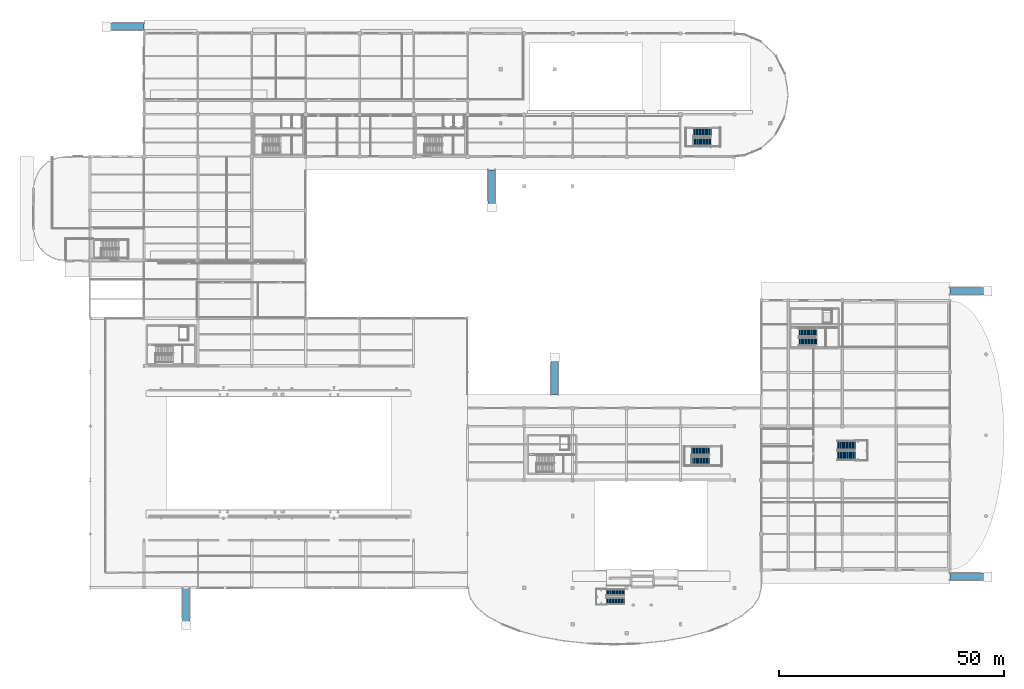
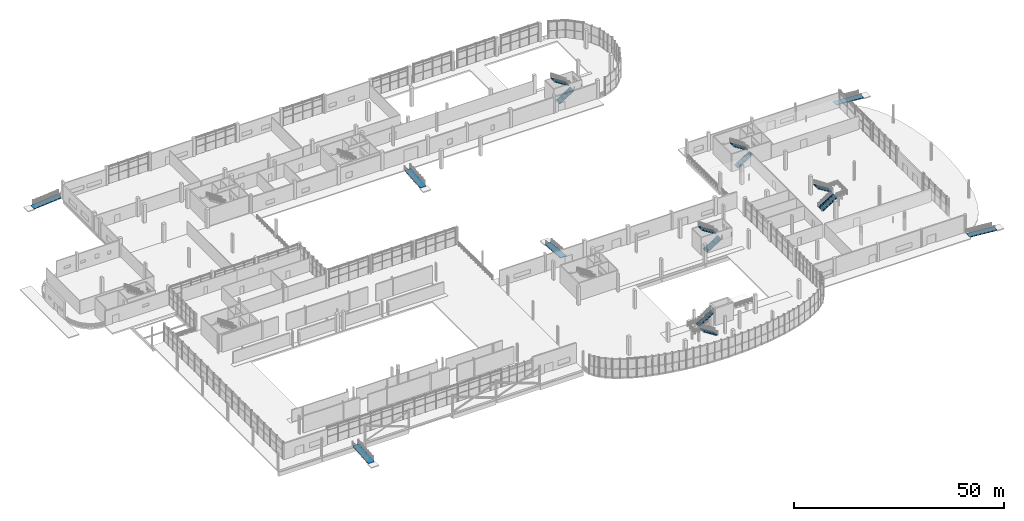
# One storey, part 68 of 85: 10 stair flights, 6 ramp flights, 11 elements without a shape of their own.
"""IFC4 building model written with IfcOpenShell, lengths in metres."""

import ifcopenshell
import ifcopenshell.guid

model = None  # the IFC model being written
_history = None  # IfcOwnerHistory: only IFC2X3 demands one
_inside = {}  # id of a spatial element -> (the spatial element, [elements in it])
_under = {}  # id of a project, library or spatial element -> (it, [spatial elements below it])
_declared = {}  # id of a project -> (the project, [libraries it declares])
_typed = {}  # id of a type object -> (the type object, [elements of that type])
_made_of = {}  # id of a material, layer set ... -> (it, [elements and type objects made of it])


def new_model(schema):
    """Start an empty IFC model of exactly this schema.

    Asked for "IFC4X3", IfcOpenShell would pick the latest addendum, in which some entities
    have other attributes; the version numbers below select the first issue.
    IFC2X3 requires an IfcOwnerHistory on every rooted entity: one is made here for all.
    """
    global model, _history
    if schema == "IFC4X3":
        model = ifcopenshell.file(schema_version=(4, 3, 0, 0))
    else:
        model = ifcopenshell.file(schema=schema)
    _inside.clear()
    _under.clear()
    _declared.clear()
    _typed.clear()
    _made_of.clear()
    _history = None
    if model.schema == "IFC2X3":
        org = make("IfcOrganization", Name="unknown")
        user = make(
            "IfcPersonAndOrganization",
            ThePerson=make("IfcPerson", FamilyName="unknown"),
            TheOrganization=org,
        )
        app = make(
            "IfcApplication",
            ApplicationDeveloper=org,
            Version="unknown",
            ApplicationFullName="unknown",
            ApplicationIdentifier="unknown",
        )
        _history = make(
            "IfcOwnerHistory",
            OwningUser=user,
            OwningApplication=app,
            ChangeAction="ADDED",
            CreationDate=0,
        )
    return model


def make(cls, **values):
    """One entity of the class cls with the attributes given. An attribute that is None is left unset."""
    return model.create_entity(
        cls, **{name: value for name, value in values.items() if value is not None}
    )


def rooted(cls, **values):
    """An entity with a GlobalId (a new one), such as an element, a storey or a relation."""
    return make(cls, GlobalId=ifcopenshell.guid.new(), OwnerHistory=_history, **values)


def si_unit(unit_type, name, prefix=None):
    """IfcSIUnit, for example si_unit("LENGTHUNIT", "METRE", prefix="MILLI")."""
    return make("IfcSIUnit", UnitType=unit_type, Prefix=prefix, Name=name)


def assignment(units):
    """IfcUnitAssignment: the units of a project."""
    return None if units is None else make("IfcUnitAssignment", Units=units)


def point(xyz):
    """IfcCartesianPoint."""
    return None if xyz is None else make("IfcCartesianPoint", Coordinates=xyz)


def direction(xyz):
    """IfcDirection."""
    return None if xyz is None else make("IfcDirection", DirectionRatios=xyz)


def frame(location, z_axis=None, x_axis=None):
    """IfcAxis2Placement3D, a coordinate frame: its origin and axes. An axis left out is left unset."""
    return make(
        "IfcAxis2Placement3D",
        Location=point(location),
        Axis=direction(z_axis),
        RefDirection=direction(x_axis),
    )


def origin():
    """The frame at (0, 0, 0) with its axes left unset."""
    return frame((0.0, 0.0, 0.0))


def place(relative_to, where):
    """IfcLocalPlacement: puts the frame where relative to a parent placement (None: the world)."""
    return make(
        "IfcLocalPlacement", PlacementRelTo=relative_to, RelativePlacement=where
    )


def context(
    kind, dimensions, precision=None, world=None, true_north=None, identifier=None
):
    """IfcGeometricRepresentationContext, for example the 3D "Model" context."""
    return make(
        "IfcGeometricRepresentationContext",
        ContextIdentifier=identifier,
        ContextType=kind,
        CoordinateSpaceDimension=dimensions,
        Precision=precision,
        WorldCoordinateSystem=world,
        TrueNorth=true_north,
    )


def subcontext(parent, identifier, kind, view, scale=None):
    """IfcGeometricRepresentationSubContext, for example "Body" below "Model"."""
    return make(
        "IfcGeometricRepresentationSubContext",
        ContextIdentifier=identifier,
        ContextType=kind,
        ParentContext=parent,
        TargetScale=scale,
        TargetView=view,
    )


def project(units=None, contexts=None):
    """IfcProject with its units and contexts."""
    return rooted(
        "IfcProject",
        Name="project",
        RepresentationContexts=contexts,
        UnitsInContext=assignment(units),
    )


def spatial(cls, under=None, at=None, **own):
    """A site, building, storey or space (cls), placed at a placement, below another one or the project."""
    s = rooted(cls, ObjectPlacement=at, **own)
    if under is not None:
        _under.setdefault(under.id(), (under, []))[1].append(s)
    return s


def polyline(points):
    """IfcPolyline through the points."""
    return make("IfcPolyline", Points=[point(p) for p in points])


def outline(outer, holes=None, kind="AREA"):
    """IfcArbitraryClosedProfileDef: a profile drawn as a closed curve; with holes, ...WithVoids."""
    if holes is None:
        return make("IfcArbitraryClosedProfileDef", ProfileType=kind, OuterCurve=outer)
    return make(
        "IfcArbitraryProfileDefWithVoids",
        ProfileType=kind,
        OuterCurve=outer,
        InnerCurves=holes,
    )


def extrude(swept, where, along, depth):
    """IfcExtrudedAreaSolid: the profile swept, set in the frame where, extruded along a direction by depth."""
    return make(
        "IfcExtrudedAreaSolid",
        SweptArea=swept,
        Position=where,
        ExtrudedDirection=direction(along),
        Depth=depth,
    )


def shape(context_of_items, identifier, shape_type, items):
    """IfcShapeRepresentation: the items that make up one representation, for example the "Body"."""
    return make(
        "IfcShapeRepresentation",
        ContextOfItems=context_of_items,
        RepresentationIdentifier=identifier,
        RepresentationType=shape_type,
        Items=items,
    )


def material(Name=None, Category=None):
    """IfcMaterial."""
    return make("IfcMaterial", Name=Name, Category=Category)


def layer(
    of_material, thickness, ventilated=None, Name=None, Category=None, Priority=None
):
    """IfcMaterialLayer: one layer of a wall or slab, of a material (None: an air gap)."""
    return make(
        "IfcMaterialLayer",
        Material=of_material,
        LayerThickness=thickness,
        IsVentilated=ventilated,
        Name=Name,
        Category=Category,
        Priority=Priority,
    )


def layer_set(layers, Name=None):
    """IfcMaterialLayerSet."""
    return make("IfcMaterialLayerSet", MaterialLayers=layers, LayerSetName=Name)


def made_of(thing, what):
    """Note that an element or type object is made of a material, layer set ...; save() writes the relation."""
    if what is not None:
        _made_of.setdefault(what.id(), (what, []))[1].append(thing)
    return thing


def type_object(cls, material=None, **own):
    """A type object (cls), such as IfcWallType, which elements share."""
    return made_of(rooted(cls, **own), material)


def element(
    cls,
    number,
    at=None,
    inside=None,
    cuts=None,
    type_object=None,
    material=None,
    context=None,
    identifier="Body",
    shape_type=None,
    held_by="IfcProductDefinitionShape",
    body=None,
    shapes=None,
    **own,
):
    """One element of the class cls, such as IfcWall. Its Tag is "e" and its number.

    at: its placement. inside: the storey or other place that contains it. cuts: it is an
    opening in that element (IfcRelVoidsElement). A single representation is given by context,
    identifier, shape_type and body (its items); several are given by shapes. held_by: the class
    of the entity that holds the representations. save() writes the other relations.
    """
    e = rooted(cls, Tag="e%d" % number, ObjectPlacement=at, **own)
    if body is not None:
        shapes = [shape(context, identifier, shape_type, body)]
    if shapes is not None:
        e.Representation = make(held_by, Representations=shapes)
    if inside is not None:
        _inside.setdefault(inside.id(), (inside, []))[1].append(e)
    if cuts is not None:
        rooted(
            "IfcRelVoidsElement", RelatingBuildingElement=cuts, RelatedOpeningElement=e
        )
    if type_object is not None:
        _typed.setdefault(type_object.id(), (type_object, []))[1].append(e)
    return made_of(e, material)


def aggregate(whole, parts):
    """IfcRelAggregates: a whole, such as a stair, and the parts it consists of."""
    return rooted("IfcRelAggregates", RelatingObject=whole, RelatedObjects=parts)


def save(model, path):
    """Write the relations noted so far, then the file.

    IfcRelAggregates (storeys below a building ...), IfcRelContainedInSpatialStructure (elements
    in a storey), IfcRelDefinesByType, IfcRelAssociatesMaterial and IfcRelDeclares: one each for
    every whole, place, type object, material and project.
    """
    for whole, parts in _under.values():
        aggregate(whole, parts)
    for where, things in _inside.values():
        rooted(
            "IfcRelContainedInSpatialStructure",
            RelatedElements=things,
            RelatingStructure=where,
        )
    for kind, things in _typed.values():
        rooted("IfcRelDefinesByType", RelatedObjects=things, RelatingType=kind)
    for what, things in _made_of.values():
        rooted("IfcRelAssociatesMaterial", RelatedObjects=things, RelatingMaterial=what)
    for by, libraries in _declared.values():
        rooted("IfcRelDeclares", RelatingContext=by, RelatedDefinitions=libraries)
    model.write(path)


model = new_model("IFC4")

# Units and contexts
model_context = context("Model", 3, precision=1e-05, world=origin(), true_north=direction((0.0, 1.0)))
body_context = subcontext(model_context, "Body", "Model", "MODEL_VIEW")
ifc_project = project(units=[si_unit("LENGTHUNIT", "METRE"), si_unit("AREAUNIT", "SQUARE_METRE"), si_unit("VOLUMEUNIT", "CUBIC_METRE"), si_unit("PLANEANGLEUNIT", "RADIAN"), si_unit("MASSUNIT", "GRAM", prefix="KILO"), si_unit("THERMODYNAMICTEMPERATUREUNIT", "KELVIN"), si_unit("POWERUNIT", "WATT")], contexts=[model_context])

# Site, building, storey
site_placement = place(None, origin())
site = spatial("IfcSite", under=ifc_project, at=site_placement, CompositionType="ELEMENT")
building_placement = place(site_placement, origin())
building = spatial("IfcBuilding", under=site, at=building_placement, Name="Solmara Park Aquatics Centre", CompositionType="ELEMENT")
storey_placement = place(building_placement, origin())
storey = spatial("IfcBuildingStorey", under=building, at=storey_placement, Name="L00", CompositionType="ELEMENT", Elevation=0.0)

# Stair, stair flights
ifc_material_1 = material(Name="Concrete C40/50", Category="concrete")
stair_type_1 = type_object("IfcStairType", Name="ARC-ST-ESC", PredefinedType="HALF_TURN_STAIR", material=ifc_material_1)
stair_1_placement = place(storey_placement, origin())
stair_1 = element("IfcStair", 1, at=stair_1_placement, inside=storey, type_object=stair_type_1, Name="East Wellness Escape Stair ST-07 (L00-L01)", PredefinedType="HALF_TURN_STAIR")
ifc_layer_1 = layer(ifc_material_1, 0.179931640625, Name="Concrete C40/50")
ifc_layer_set_1 = layer_set([ifc_layer_1], Name="Concrete C40/50")
stair_flight_type_1 = type_object("IfcStairFlightType", Name="ARC-STF-02", PredefinedType="STRAIGHT", material=ifc_layer_set_1)
stair_flight_1_placement = place(storey_placement, frame((146.85009765625, 111.8701171875, 0.0), z_axis=(0.0, 0.0, 1.0), x_axis=(1.0, 0.0, 0.0)))
stair_flight_1 = element("IfcStairFlight", 2, at=stair_flight_1_placement, type_object=stair_flight_type_1, Name="ST-07 flight 1", NumberOfRisers=16, NumberOfTreads=15, PredefinedType="STRAIGHT", RiserHeight=0.16875, TreadLength=0.265, context=body_context, shape_type="SweptSolid", body=[
    extrude(outline(polyline([(0.0, 0.0), (0.0, 0.168701171875), (0.264892578125, 0.168701171875), (0.264892578125, 0.33740234375), (0.530029296875, 0.33740234375), (0.530029296875, 0.50634765625), (0.794921875, 0.50634765625), (0.794921875, 0.675048828125), (1.06005859375, 0.675048828125), (1.06005859375, 0.84375), (1.324951171875, 0.84375), (1.324951171875, 1.012451171875), (1.590087890625, 1.012451171875), (1.590087890625, 1.18115234375), (1.85498046875, 1.18115234375), (1.85498046875, 1.35009765625), (2.1201171875, 1.35009765625), (2.1201171875, 1.518798828125), (2.385009765625, 1.518798828125), (2.385009765625, 1.6875), (2.64990234375, 1.6875), (2.64990234375, 1.856201171875), (2.9150390625, 1.856201171875), (2.9150390625, 2.02490234375), (3.179931640625, 2.02490234375), (3.179931640625, 2.19384765625), (3.445068359375, 2.19384765625), (3.445068359375, 2.362548828125), (3.7099609375, 2.362548828125), (3.7099609375, 2.53125), (3.97509765625, 2.53125), (3.97509765625, 2.699951171875), (3.9951171875, 2.699951171875), (3.9951171875, 2.31787109375), (0.35498046875, 0.0), (0.0, 0.0)])), frame((0.0, 0.89990234375, 0.0), z_axis=(0.0, -1.0, 0.0), x_axis=(1.0, 0.0, 0.0)), (0.0, 0.0, 1.0), 1.800048828125),
])
stair_flight_2_placement = place(storey_placement, frame((150.85498046875, 114.030029296875, 2.699951171875), z_axis=(0.0, 0.0, 1.0), x_axis=(-1.0, 0.0, 0.0)))
stair_flight_2 = element("IfcStairFlight", 3, at=stair_flight_2_placement, type_object=stair_flight_type_1, Name="ST-07 flight 2", NumberOfRisers=16, NumberOfTreads=15, PredefinedType="STRAIGHT", RiserHeight=0.16875, TreadLength=0.265, context=body_context, shape_type="SweptSolid", body=[
    extrude(outline(polyline([(0.0, 0.0), (0.0, 0.168701171875), (0.264892578125, 0.168701171875), (0.264892578125, 0.33740234375), (0.530029296875, 0.33740234375), (0.530029296875, 0.50634765625), (0.794921875, 0.50634765625), (0.794921875, 0.675048828125), (1.06005859375, 0.675048828125), (1.06005859375, 0.84375), (1.324951171875, 0.84375), (1.324951171875, 1.012451171875), (1.590087890625, 1.012451171875), (1.590087890625, 1.18115234375), (1.85498046875, 1.18115234375), (1.85498046875, 1.35009765625), (2.1201171875, 1.35009765625), (2.1201171875, 1.518798828125), (2.385009765625, 1.518798828125), (2.385009765625, 1.6875), (2.64990234375, 1.6875), (2.64990234375, 1.856201171875), (2.9150390625, 1.856201171875), (2.9150390625, 2.02490234375), (3.179931640625, 2.02490234375), (3.179931640625, 2.19384765625), (3.445068359375, 2.19384765625), (3.445068359375, 2.362548828125), (3.7099609375, 2.362548828125), (3.7099609375, 2.53125), (3.97509765625, 2.53125), (3.97509765625, 2.699951171875), (3.9951171875, 2.699951171875), (3.9951171875, 2.31787109375), (0.35498046875, 0.0), (0.0, 0.0)])), frame((0.0, 0.89990234375, 0.0), z_axis=(0.0, -1.0, 0.0), x_axis=(1.0, 0.0, 0.0)), (0.0, 0.0, 1.0), 1.800048828125),
])
aggregate(stair_1, [stair_flight_1, stair_flight_2])

stair_2_placement = place(storey_placement, origin())
stair_2 = element("IfcStair", 4, at=stair_2_placement, inside=storey, type_object=stair_type_1, Name="Diving Pavilion Escape Stair ST-09 (L00-L01)", PredefinedType="HALF_TURN_STAIR")
stair_flight_3_placement = place(storey_placement, frame((146.449951171875, 40.820068359375, 0.0), z_axis=(0.0, 0.0, 1.0), x_axis=(1.0, 0.0, 0.0)))
stair_flight_3 = element("IfcStairFlight", 5, at=stair_flight_3_placement, type_object=stair_flight_type_1, Name="ST-09 flight 1", NumberOfRisers=16, NumberOfTreads=15, PredefinedType="STRAIGHT", RiserHeight=0.16875, TreadLength=0.265, context=body_context, shape_type="SweptSolid", body=[
    extrude(outline(polyline([(0.0, 0.0), (0.0, 0.168701171875), (0.264892578125, 0.168701171875), (0.264892578125, 0.33740234375), (0.530029296875, 0.33740234375), (0.530029296875, 0.50634765625), (0.794921875, 0.50634765625), (0.794921875, 0.675048828125), (1.06005859375, 0.675048828125), (1.06005859375, 0.84375), (1.324951171875, 0.84375), (1.324951171875, 1.012451171875), (1.590087890625, 1.012451171875), (1.590087890625, 1.18115234375), (1.85498046875, 1.18115234375), (1.85498046875, 1.35009765625), (2.1201171875, 1.35009765625), (2.1201171875, 1.518798828125), (2.385009765625, 1.518798828125), (2.385009765625, 1.6875), (2.64990234375, 1.6875), (2.64990234375, 1.856201171875), (2.9150390625, 1.856201171875), (2.9150390625, 2.02490234375), (3.179931640625, 2.02490234375), (3.179931640625, 2.19384765625), (3.445068359375, 2.19384765625), (3.445068359375, 2.362548828125), (3.7099609375, 2.362548828125), (3.7099609375, 2.53125), (3.97509765625, 2.53125), (3.97509765625, 2.699951171875), (3.9951171875, 2.699951171875), (3.9951171875, 2.31787109375), (0.35498046875, 0.0), (0.0, 0.0)])), frame((0.0, 0.89990234375, 0.0), z_axis=(0.0, -1.0, 0.0), x_axis=(1.0, 0.0, 0.0)), (0.0, 0.0, 1.0), 1.800048828125),
])
stair_flight_4_placement = place(storey_placement, frame((150.455078125, 43.080078125, 2.699951171875), z_axis=(0.0, 0.0, 1.0), x_axis=(-1.0, 0.0, 0.0)))
stair_flight_4 = element("IfcStairFlight", 6, at=stair_flight_4_placement, type_object=stair_flight_type_1, Name="ST-09 flight 2", NumberOfRisers=16, NumberOfTreads=15, PredefinedType="STRAIGHT", RiserHeight=0.16875, TreadLength=0.265, context=body_context, shape_type="SweptSolid", body=[
    extrude(outline(polyline([(0.0, 0.0), (0.0, 0.168701171875), (0.264892578125, 0.168701171875), (0.264892578125, 0.33740234375), (0.530029296875, 0.33740234375), (0.530029296875, 0.50634765625), (0.794921875, 0.50634765625), (0.794921875, 0.675048828125), (1.06005859375, 0.675048828125), (1.06005859375, 0.84375), (1.324951171875, 0.84375), (1.324951171875, 1.012451171875), (1.590087890625, 1.012451171875), (1.590087890625, 1.18115234375), (1.85498046875, 1.18115234375), (1.85498046875, 1.35009765625), (2.1201171875, 1.35009765625), (2.1201171875, 1.518798828125), (2.385009765625, 1.518798828125), (2.385009765625, 1.6875), (2.64990234375, 1.6875), (2.64990234375, 1.856201171875), (2.9150390625, 1.856201171875), (2.9150390625, 2.02490234375), (3.179931640625, 2.02490234375), (3.179931640625, 2.19384765625), (3.445068359375, 2.19384765625), (3.445068359375, 2.362548828125), (3.7099609375, 2.362548828125), (3.7099609375, 2.53125), (3.97509765625, 2.53125), (3.97509765625, 2.699951171875), (3.9951171875, 2.699951171875), (3.9951171875, 2.31787109375), (0.35498046875, 0.0), (0.0, 0.0)])), frame((0.0, 0.89990234375, 0.0), z_axis=(0.0, -1.0, 0.0), x_axis=(1.0, 0.0, 0.0)), (0.0, 0.0, 1.0), 1.800048828125),
])
aggregate(stair_2, [stair_flight_3, stair_flight_4])

stair_type_2 = type_object("IfcStairType", Name="ARC-ST-MON", PredefinedType="HALF_TURN_STAIR", material=ifc_material_1)
stair_3_placement = place(storey_placement, origin())
stair_3 = element("IfcStair", 7, at=stair_3_placement, inside=storey, type_object=stair_type_2, Name="Monumental Foyer Stair ST-06", PredefinedType="HALF_TURN_STAIR")
ifc_layer_2 = layer(ifc_material_1, 0.179931640625, Name="Concrete C40/50")
ifc_layer_set_2 = layer_set([ifc_layer_2], Name="Concrete C40/50")
stair_flight_type_2 = type_object("IfcStairFlightType", Name="ARC-STF-03", PredefinedType="STRAIGHT", material=ifc_layer_set_2)
stair_flight_5_placement = place(storey_placement, frame((178.919921875, 42.050048828125, 0.0), z_axis=(0.0, 0.0, 1.0), x_axis=(1.0, 0.0, 0.0)))
stair_flight_5 = element("IfcStairFlight", 8, at=stair_flight_5_placement, type_object=stair_flight_type_2, Name="ST-06 flight 1", NumberOfRisers=16, NumberOfTreads=15, PredefinedType="STRAIGHT", RiserHeight=0.16875, TreadLength=0.265, context=body_context, shape_type="SweptSolid", body=[
    extrude(outline(polyline([(0.0, 0.0), (0.0, 0.168701171875), (0.264892578125, 0.168701171875), (0.264892578125, 0.33740234375), (0.530029296875, 0.33740234375), (0.530029296875, 0.50634765625), (0.794921875, 0.50634765625), (0.794921875, 0.675048828125), (1.06005859375, 0.675048828125), (1.06005859375, 0.84375), (1.324951171875, 0.84375), (1.324951171875, 1.012451171875), (1.590087890625, 1.012451171875), (1.590087890625, 1.18115234375), (1.85498046875, 1.18115234375), (1.85498046875, 1.35009765625), (2.1201171875, 1.35009765625), (2.1201171875, 1.518798828125), (2.385009765625, 1.518798828125), (2.385009765625, 1.6875), (2.64990234375, 1.6875), (2.64990234375, 1.856201171875), (2.9150390625, 1.856201171875), (2.9150390625, 2.02490234375), (3.179931640625, 2.02490234375), (3.179931640625, 2.19384765625), (3.445068359375, 2.19384765625), (3.445068359375, 2.362548828125), (3.7099609375, 2.362548828125), (3.7099609375, 2.53125), (3.97509765625, 2.53125), (3.97509765625, 2.699951171875), (3.9951171875, 2.699951171875), (3.9951171875, 2.31787109375), (0.35498046875, 0.0), (0.0, 0.0)])), frame((0.0, 1.0, 0.0), z_axis=(0.0, -1.0, 0.0), x_axis=(1.0, 0.0, 0.0)), (0.0, 0.0, 1.0), 2.0),
])
stair_flight_6_placement = place(storey_placement, frame((182.925048828125, 44.35009765625, 2.699951171875), z_axis=(0.0, 0.0, 1.0), x_axis=(-1.0, 0.0, 0.0)))
stair_flight_6 = element("IfcStairFlight", 9, at=stair_flight_6_placement, type_object=stair_flight_type_2, Name="ST-06 flight 2", NumberOfRisers=16, NumberOfTreads=15, PredefinedType="STRAIGHT", RiserHeight=0.16875, TreadLength=0.265, context=body_context, shape_type="SweptSolid", body=[
    extrude(outline(polyline([(0.0, 0.0), (0.0, 0.168701171875), (0.264892578125, 0.168701171875), (0.264892578125, 0.33740234375), (0.530029296875, 0.33740234375), (0.530029296875, 0.50634765625), (0.794921875, 0.50634765625), (0.794921875, 0.675048828125), (1.06005859375, 0.675048828125), (1.06005859375, 0.84375), (1.324951171875, 0.84375), (1.324951171875, 1.012451171875), (1.590087890625, 1.012451171875), (1.590087890625, 1.18115234375), (1.85498046875, 1.18115234375), (1.85498046875, 1.35009765625), (2.1201171875, 1.35009765625), (2.1201171875, 1.518798828125), (2.385009765625, 1.518798828125), (2.385009765625, 1.6875), (2.64990234375, 1.6875), (2.64990234375, 1.856201171875), (2.9150390625, 1.856201171875), (2.9150390625, 2.02490234375), (3.179931640625, 2.02490234375), (3.179931640625, 2.19384765625), (3.445068359375, 2.19384765625), (3.445068359375, 2.362548828125), (3.7099609375, 2.362548828125), (3.7099609375, 2.53125), (3.97509765625, 2.53125), (3.97509765625, 2.699951171875), (3.9951171875, 2.699951171875), (3.9951171875, 2.388916015625), (0.24365234375, 0.0), (0.0, 0.0)])), frame((0.0, 1.0, 0.0), z_axis=(0.0, -1.0, 0.0), x_axis=(1.0, 0.0, 0.0)), (0.0, 0.0, 1.0), 2.0),
])
aggregate(stair_3, [stair_flight_5, stair_flight_6])

stair_type_3 = type_object("IfcStairType", Name="ARC-ST-DIV", PredefinedType="HALF_TURN_STAIR", material=ifc_material_1)
stair_4_placement = place(storey_placement, origin())
stair_4 = element("IfcStair", 10, at=stair_4_placement, inside=storey, type_object=stair_type_3, Name="Diving Tower Platform Stair DT-01", PredefinedType="HALF_TURN_STAIR")
ifc_layer_3 = layer(ifc_material_1, 0.199951171875, Name="Concrete C40/50")
ifc_layer_set_3 = layer_set([ifc_layer_3], Name="Concrete C40/50")
stair_flight_type_3 = type_object("IfcStairFlightType", Name="ARC-STF-09", PredefinedType="STRAIGHT", material=ifc_layer_set_3)
stair_flight_7_placement = place(storey_placement, frame((131.5, 9.6201171875, 0.0), z_axis=(0.0, 0.0, 1.0), x_axis=(-1.0, 0.0, 0.0)))
stair_flight_7 = element("IfcStairFlight", 11, at=stair_flight_7_placement, type_object=stair_flight_type_3, Name="DT-01 flight 1", NumberOfRisers=16, NumberOfTreads=15, PredefinedType="STRAIGHT", RiserHeight=0.16875, TreadLength=0.265, context=body_context, shape_type="SweptSolid", body=[
    extrude(outline(polyline([(0.0, 0.0), (0.0, 0.168701171875), (0.264892578125, 0.168701171875), (0.264892578125, 0.33740234375), (0.530029296875, 0.33740234375), (0.530029296875, 0.50634765625), (0.794921875, 0.50634765625), (0.794921875, 0.675048828125), (1.06005859375, 0.675048828125), (1.06005859375, 0.84375), (1.324951171875, 0.84375), (1.324951171875, 1.012451171875), (1.590087890625, 1.012451171875), (1.590087890625, 1.18115234375), (1.85498046875, 1.18115234375), (1.85498046875, 1.35009765625), (2.1201171875, 1.35009765625), (2.1201171875, 1.518798828125), (2.385009765625, 1.518798828125), (2.385009765625, 1.6875), (2.64990234375, 1.6875), (2.64990234375, 1.856201171875), (2.9150390625, 1.856201171875), (2.9150390625, 2.02490234375), (3.179931640625, 2.02490234375), (3.179931640625, 2.19384765625), (3.445068359375, 2.19384765625), (3.445068359375, 2.362548828125), (3.7099609375, 2.362548828125), (3.7099609375, 2.53125), (3.97509765625, 2.53125), (3.97509765625, 2.699951171875), (3.9951171875, 2.699951171875), (3.9951171875, 2.31787109375), (0.35498046875, 0.0), (0.0, 0.0)])), frame((0.0, 0.699951171875, 0.0), z_axis=(0.0, -1.0, 0.0), x_axis=(1.0, 0.0, 0.0)), (0.0, 0.0, 1.0), 1.39990234375),
])
stair_flight_8_placement = place(storey_placement, frame((127.4951171875, 11.580078125, 2.699951171875), z_axis=(0.0, 0.0, 1.0), x_axis=(1.0, 0.0, 0.0)))
stair_flight_8 = element("IfcStairFlight", 12, at=stair_flight_8_placement, type_object=stair_flight_type_3, Name="DT-01 flight 2", NumberOfRisers=16, NumberOfTreads=15, PredefinedType="STRAIGHT", RiserHeight=0.16875, TreadLength=0.265, context=body_context, shape_type="SweptSolid", body=[
    extrude(outline(polyline([(0.0, 0.0), (0.0, 0.168701171875), (0.264892578125, 0.168701171875), (0.264892578125, 0.33740234375), (0.530029296875, 0.33740234375), (0.530029296875, 0.50634765625), (0.794921875, 0.50634765625), (0.794921875, 0.675048828125), (1.06005859375, 0.675048828125), (1.06005859375, 0.84375), (1.324951171875, 0.84375), (1.324951171875, 1.012451171875), (1.590087890625, 1.012451171875), (1.590087890625, 1.18115234375), (1.85498046875, 1.18115234375), (1.85498046875, 1.35009765625), (2.1201171875, 1.35009765625), (2.1201171875, 1.518798828125), (2.385009765625, 1.518798828125), (2.385009765625, 1.6875), (2.64990234375, 1.6875), (2.64990234375, 1.856201171875), (2.9150390625, 1.856201171875), (2.9150390625, 2.02490234375), (3.179931640625, 2.02490234375), (3.179931640625, 2.19384765625), (3.445068359375, 2.19384765625), (3.445068359375, 2.362548828125), (3.7099609375, 2.362548828125), (3.7099609375, 2.53125), (3.97509765625, 2.53125), (3.97509765625, 2.699951171875), (3.9951171875, 2.699951171875), (3.9951171875, 2.31787109375), (0.35498046875, 0.0), (0.0, 0.0)])), frame((0.0, 0.699951171875, 0.0), z_axis=(0.0, -1.0, 0.0), x_axis=(1.0, 0.0, 0.0)), (0.0, 0.0, 1.0), 1.39990234375),
])
aggregate(stair_4, [stair_flight_7, stair_flight_8])

stair_type_4 = type_object("IfcStairType", Name="ARC-ST-CORE", PredefinedType="HALF_TURN_STAIR", material=ifc_material_1)
stair_5_placement = place(storey_placement, origin())
stair_5 = element("IfcStair", 13, at=stair_5_placement, inside=storey, type_object=stair_type_4, Name="ST-05 Protected Exit Stair (L00 to L01)", PredefinedType="HALF_TURN_STAIR")
ifc_layer_4 = layer(ifc_material_1, 0.179931640625, Name="Concrete C40/50")
ifc_layer_set_4 = layer_set([ifc_layer_4], Name="Concrete C40/50")
stair_flight_type_4 = type_object("IfcStairFlightType", Name="ARC-STF-10", PredefinedType="STRAIGHT", material=ifc_layer_set_4)
stair_flight_9_placement = place(storey_placement, frame((170.35009765625, 67.409912109375, 0.0), z_axis=(0.0, 0.0, 1.0), x_axis=(1.0, 0.0, 0.0)))
stair_flight_9 = element("IfcStairFlight", 14, at=stair_flight_9_placement, type_object=stair_flight_type_4, Name="ST-05 flight 1", NumberOfRisers=16, NumberOfTreads=15, PredefinedType="STRAIGHT", RiserHeight=0.16875, TreadLength=0.265, context=body_context, shape_type="SweptSolid", body=[
    extrude(outline(polyline([(0.0, 0.0), (0.0, 0.168701171875), (0.264892578125, 0.168701171875), (0.264892578125, 0.33740234375), (0.530029296875, 0.33740234375), (0.530029296875, 0.50634765625), (0.794921875, 0.50634765625), (0.794921875, 0.675048828125), (1.06005859375, 0.675048828125), (1.06005859375, 0.84375), (1.324951171875, 0.84375), (1.324951171875, 1.012451171875), (1.590087890625, 1.012451171875), (1.590087890625, 1.18115234375), (1.85498046875, 1.18115234375), (1.85498046875, 1.35009765625), (2.1201171875, 1.35009765625), (2.1201171875, 1.518798828125), (2.385009765625, 1.518798828125), (2.385009765625, 1.6875), (2.64990234375, 1.6875), (2.64990234375, 1.856201171875), (2.9150390625, 1.856201171875), (2.9150390625, 2.02490234375), (3.179931640625, 2.02490234375), (3.179931640625, 2.19384765625), (3.445068359375, 2.19384765625), (3.445068359375, 2.362548828125), (3.7099609375, 2.362548828125), (3.7099609375, 2.53125), (3.97509765625, 2.53125), (3.97509765625, 2.699951171875), (3.9951171875, 2.699951171875), (3.9951171875, 2.31787109375), (0.35498046875, 0.0), (0.0, 0.0)])), frame((0.0, 0.83984375, 0.0), z_axis=(0.0, -1.0, 0.0), x_axis=(1.0, 0.0, 0.0)), (0.0, 0.0, 1.0), 1.679931640625),
])
stair_flight_10_placement = place(storey_placement, frame((174.35498046875, 69.389892578125, 2.699951171875), z_axis=(0.0, 0.0, 1.0), x_axis=(-1.0, 0.0, 0.0)))
stair_flight_10 = element("IfcStairFlight", 15, at=stair_flight_10_placement, type_object=stair_flight_type_4, Name="ST-05 flight 2", NumberOfRisers=16, NumberOfTreads=15, PredefinedType="STRAIGHT", RiserHeight=0.16875, TreadLength=0.265, context=body_context, shape_type="SweptSolid", body=[
    extrude(outline(polyline([(0.0, 0.0), (0.0, 0.168701171875), (0.264892578125, 0.168701171875), (0.264892578125, 0.33740234375), (0.530029296875, 0.33740234375), (0.530029296875, 0.50634765625), (0.794921875, 0.50634765625), (0.794921875, 0.675048828125), (1.06005859375, 0.675048828125), (1.06005859375, 0.84375), (1.324951171875, 0.84375), (1.324951171875, 1.012451171875), (1.590087890625, 1.012451171875), (1.590087890625, 1.18115234375), (1.85498046875, 1.18115234375), (1.85498046875, 1.35009765625), (2.1201171875, 1.35009765625), (2.1201171875, 1.518798828125), (2.385009765625, 1.518798828125), (2.385009765625, 1.6875), (2.64990234375, 1.6875), (2.64990234375, 1.856201171875), (2.9150390625, 1.856201171875), (2.9150390625, 2.02490234375), (3.179931640625, 2.02490234375), (3.179931640625, 2.19384765625), (3.445068359375, 2.19384765625), (3.445068359375, 2.362548828125), (3.7099609375, 2.362548828125), (3.7099609375, 2.53125), (3.97509765625, 2.53125), (3.97509765625, 2.699951171875), (3.9951171875, 2.699951171875), (3.9951171875, 2.31787109375), (0.35498046875, 0.0), (0.0, 0.0)])), frame((0.0, 0.83984375, 0.0), z_axis=(0.0, -1.0, 0.0), x_axis=(1.0, 0.0, 0.0)), (0.0, 0.0, 1.0), 1.679931640625),
])
aggregate(stair_5, [stair_flight_9, stair_flight_10])

# Ramp, ramp flight
ifc_material_2 = material(Name="Watertight Concrete C45/55", Category="concrete")
ramp_type = type_object("IfcRampType", Name="ARC-RMP-ACC150", PredefinedType="STRAIGHT_RUN_RAMP", material=ifc_material_2)
ramp_1_placement = place(storey_placement, origin())
ramp_1 = element("IfcRamp", 16, at=ramp_1_placement, inside=storey, type_object=ramp_type, Name="Main Park Entrance North Accessible Ramp", PredefinedType="STRAIGHT_RUN_RAMP")
ifc_layer_5 = layer(ifc_material_2, 0.219970703125, Name="Watertight Concrete C45/55")
ifc_layer_set_5 = layer_set([ifc_layer_5], Name="Watertight Concrete C45/55")
ramp_flight_type = type_object("IfcRampFlightType", Name="ARC-RMF-ACC150", PredefinedType="STRAIGHT", material=ifc_layer_set_5)
ramp_flight_1_placement = place(storey_placement, frame((211.5, 78.60009765625, -0.60009765625), z_axis=(0.0, 0.0, 1.0), x_axis=(-1.0, 0.0, 0.0)))
ramp_flight_1 = element("IfcRampFlight", 17, at=ramp_flight_1_placement, type_object=ramp_flight_type, Name="Main Park Entrance North Accessible Ramp Flight", PredefinedType="STRAIGHT", context=body_context, shape_type="SweptSolid", body=[
    extrude(outline(polyline([(0.0, 0.0), (0.0, -0.219970703125), (7.5, 0.380126953125), (7.5, 0.60009765625), (0.0, 0.0)])), frame((0.0, 0.824951171875, 0.0), z_axis=(0.0, -1.0, 0.0), x_axis=(1.0, 0.0, 0.0)), (0.0, 0.0, 1.0), 1.64990234375),
])
aggregate(ramp_1, [ramp_flight_1])

ramp_2_placement = place(storey_placement, origin())
ramp_2 = element("IfcRamp", 18, at=ramp_2_placement, inside=storey, type_object=ramp_type, Name="Main Park Entrance South Accessible Ramp", PredefinedType="STRAIGHT_RUN_RAMP")
ramp_flight_2_placement = place(storey_placement, frame((211.5, 15.10009765625, -0.60009765625), z_axis=(0.0, 0.0, 1.0), x_axis=(-1.0, 0.0, 0.0)))
ramp_flight_2 = element("IfcRampFlight", 19, at=ramp_flight_2_placement, type_object=ramp_flight_type, Name="Main Park Entrance South Accessible Ramp Flight", PredefinedType="STRAIGHT", context=body_context, shape_type="SweptSolid", body=[
    extrude(outline(polyline([(0.0, 0.0), (0.0, -0.219970703125), (7.5, 0.380126953125), (7.5, 0.60009765625), (0.0, 0.0)])), frame((0.0, 0.824951171875, 0.0), z_axis=(0.0, -1.0, 0.0), x_axis=(1.0, 0.0, 0.0)), (0.0, 0.0, 1.0), 1.64990234375),
])
aggregate(ramp_2, [ramp_flight_2])

ramp_3_placement = place(storey_placement, origin())
ramp_3 = element("IfcRamp", 20, at=ramp_3_placement, inside=storey, type_object=ramp_type, Name="Competition Colonnade Accessible Ramp", PredefinedType="STRAIGHT_RUN_RAMP")
ramp_flight_3_placement = place(storey_placement, frame((34.0, 5.10009765625, -0.60009765625), z_axis=(0.0, 0.0, 1.0), x_axis=(0.0, 1.0, 0.0)))
ramp_flight_3 = element("IfcRampFlight", 21, at=ramp_flight_3_placement, type_object=ramp_flight_type, Name="Competition Colonnade Accessible Ramp Flight", PredefinedType="STRAIGHT", context=body_context, shape_type="SweptSolid", body=[
    extrude(outline(polyline([(0.0, 0.0), (0.0, -0.219970703125), (7.5, 0.380126953125), (7.5, 0.60009765625), (0.0, 0.0)])), frame((0.0, 0.824951171875, 0.0), z_axis=(0.0, -1.0, 0.0), x_axis=(1.0, 0.0, 0.0)), (0.0, 0.0, 1.0), 1.64990234375),
])
aggregate(ramp_3, [ramp_flight_3])

ramp_4_placement = place(storey_placement, origin())
ramp_4 = element("IfcRamp", 22, at=ramp_4_placement, inside=storey, type_object=ramp_type, Name="Garden Court Diving Threshold Accessible Ramp", PredefinedType="STRAIGHT_RUN_RAMP")
ramp_flight_4_placement = place(storey_placement, frame((116.0, 63.10009765625, -0.60009765625), z_axis=(0.0, 0.0, 1.0), x_axis=(0.0, -1.0, 0.0)))
ramp_flight_4 = element("IfcRampFlight", 23, at=ramp_flight_4_placement, type_object=ramp_flight_type, Name="Garden Court Diving Threshold Accessible Ramp Flight", PredefinedType="STRAIGHT", context=body_context, shape_type="SweptSolid", body=[
    extrude(outline(polyline([(0.0, 0.0), (0.0, -0.219970703125), (7.5, 0.380126953125), (7.5, 0.60009765625), (0.0, 0.0)])), frame((0.0, 0.824951171875, 0.0), z_axis=(0.0, -1.0, 0.0), x_axis=(1.0, 0.0, 0.0)), (0.0, 0.0, 1.0), 1.64990234375),
])
aggregate(ramp_4, [ramp_flight_4])

ramp_5_placement = place(storey_placement, origin())
ramp_5 = element("IfcRamp", 24, at=ramp_5_placement, inside=storey, type_object=ramp_type, Name="Wellness Boulevard Accessible Ramp", PredefinedType="STRAIGHT_RUN_RAMP")
ramp_flight_5_placement = place(storey_placement, frame((17.10009765625, 137.5, -0.60009765625), z_axis=(0.0, 0.0, 1.0), x_axis=(1.0, 0.0, 0.0)))
ramp_flight_5 = element("IfcRampFlight", 25, at=ramp_flight_5_placement, type_object=ramp_flight_type, Name="Wellness Boulevard Accessible Ramp Flight", PredefinedType="STRAIGHT", context=body_context, shape_type="SweptSolid", body=[
    extrude(outline(polyline([(0.0, 0.0), (0.0, -0.219970703125), (7.5, 0.380126953125), (7.5, 0.60009765625), (0.0, 0.0)])), frame((0.0, 0.824951171875, 0.0), z_axis=(0.0, -1.0, 0.0), x_axis=(1.0, 0.0, 0.0)), (0.0, 0.0, 1.0), 1.64990234375),
])
aggregate(ramp_5, [ramp_flight_5])

ramp_6_placement = place(storey_placement, origin())
ramp_6 = element("IfcRamp", 26, at=ramp_6_placement, inside=storey, type_object=ramp_type, Name="Training Pool Hydrotherapy Deck Ramp", PredefinedType="STRAIGHT_RUN_RAMP")
ramp_flight_6_placement = place(storey_placement, frame((102.0, 98.10009765625, -0.60009765625), z_axis=(0.0, 0.0, 1.0), x_axis=(0.0, 1.0, 0.0)))
ramp_flight_6 = element("IfcRampFlight", 27, at=ramp_flight_6_placement, type_object=ramp_flight_type, Name="Training Pool Hydrotherapy Deck Ramp Flight", PredefinedType="STRAIGHT", context=body_context, shape_type="SweptSolid", body=[
    extrude(outline(polyline([(0.0, 0.0), (0.0, -0.219970703125), (7.5, 0.380126953125), (7.5, 0.60009765625), (0.0, 0.0)])), frame((0.0, 0.824951171875, 0.0), z_axis=(0.0, -1.0, 0.0), x_axis=(1.0, 0.0, 0.0)), (0.0, 0.0, 1.0), 1.64990234375),
])
aggregate(ramp_6, [ramp_flight_6])

save(model, "model.ifc")
